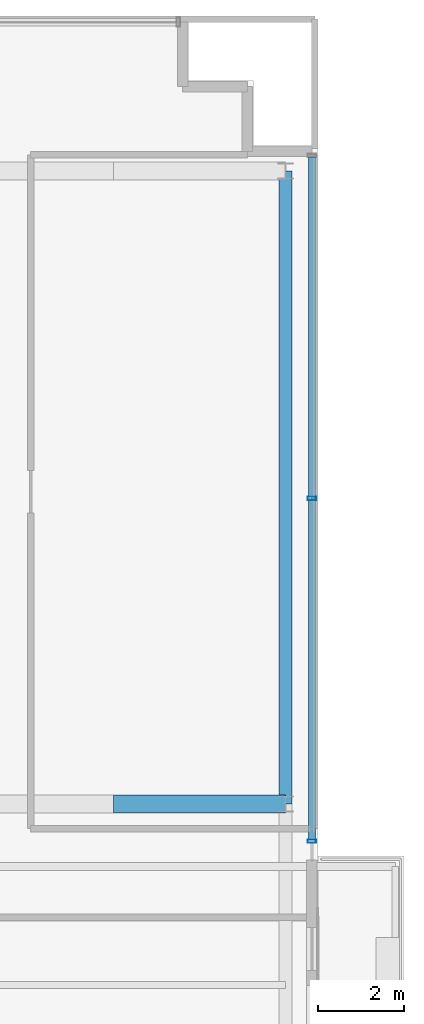
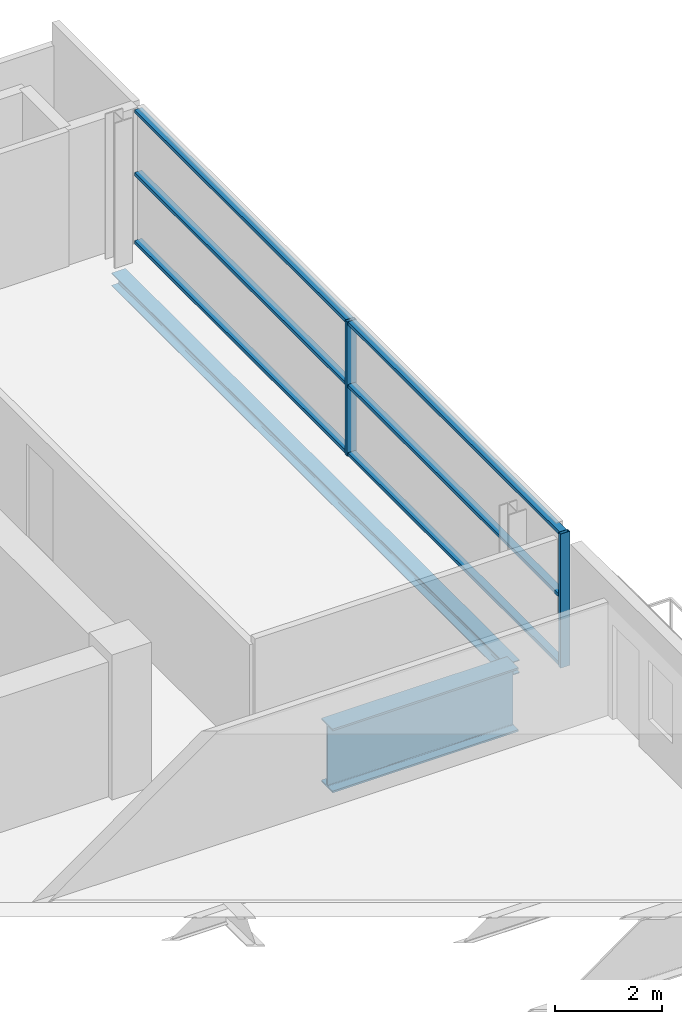
# One storey, part 9 of 23: 8 members, 2 beams, 1 element without a shape of its own.
"""IFC4 building model written with IfcOpenShell, lengths in metres."""

from ifc_helpers import new_model, si_unit, direction, frame, origin, origin_2d, place, context, subcontext, project, spatial, hollow_rectangle, i_section, extrude, source, transform, mapped, material, layer, layer_set, material_profile, profile_set, type_object, element, aggregate, save


model = new_model("IFC4")

# Units and contexts
model_context = context("Model", 3, precision=1e-05, world=origin(), true_north=direction((0.0, 1.0)))
body_context = subcontext(model_context, "Body", "Model", "MODEL_VIEW")
ifc_project = project(units=[si_unit("LENGTHUNIT", "METRE"), si_unit("AREAUNIT", "SQUARE_METRE"), si_unit("VOLUMEUNIT", "CUBIC_METRE"), si_unit("PLANEANGLEUNIT", "RADIAN"), si_unit("MASSUNIT", "GRAM", prefix="KILO")], contexts=[model_context])

# Site, building, storey
site_placement = place(None, origin())
site = spatial("IfcSite", under=ifc_project, at=site_placement, CompositionType="ELEMENT")
building_placement = place(site_placement, origin())
building = spatial("IfcBuilding", under=site, at=building_placement, Name="Zarnakvel Exchange Tower", CompositionType="ELEMENT")
storey_placement = place(building_placement, frame((0.0, 0.0, 232.0)))
storey = spatial("IfcBuildingStorey", under=building, at=storey_placement, Name="L65", CompositionType="ELEMENT", Elevation=232.0)

# Beams
ifc_material_1 = material(Name="Steel S355", Category="steel")
ifc_material_profile_1 = material_profile(ifc_material_1, i_section(OverallWidth=0.300048828125, OverallDepth=0.300048828125, WebThickness=0.010986328125, FlangeThickness=0.01904296875, FilletRadius=0.027099609375, at=origin_2d()))
ifc_profile_set_1 = profile_set([ifc_material_profile_1], Name="Steel S355")
beam_type_1 = type_object("IfcBeamType", Name="SP-03", PredefinedType="SPANDREL", material=ifc_profile_set_1)
beam_1_placement = place(storey_placement, frame((22.85009765625, -1.199951171875, -0.375), z_axis=(0.0, 1.0, 0.0), x_axis=(-1.0, 0.0, 0.0)))
element("IfcBeam", 1, at=beam_1_placement, inside=storey, type_object=beam_type_1, Name="L65 Tower N-S Frame Beam", PredefinedType="SPANDREL", context=body_context, shape_type="SweptSolid", body=[
    extrude(i_section(OverallWidth=0.300048828125, OverallDepth=0.300048828125, WebThickness=0.010986328125, FlangeThickness=0.01904296875, FilletRadius=0.027099609375, at=origin_2d()), origin(), (0.0, 0.0, 1.0), 14.699951171875),
])
ifc_material_2 = material(Name="Steel S460", Category="steel")
ifc_material_profile_2 = material_profile(ifc_material_2, i_section(OverallWidth=0.419921875, OverallDepth=1.449951171875, WebThickness=0.02392578125, FlangeThickness=0.0400390625, FilletRadius=0.030029296875, at=origin_2d()))
ifc_profile_set_2 = profile_set([ifc_material_profile_2], Name="Steel S460")
beam_type_2 = type_object("IfcBeamType", Name="TG-01", PredefinedType="BEAM", material=ifc_profile_set_2)
beam_2_placement = place(storey_placement, frame((18.85009765625, -1.199951171875, -0.949951171875), z_axis=(1.0, 0.0, 0.0), x_axis=(0.0, 1.0, 0.0)))
element("IfcBeam", 2, at=beam_2_placement, inside=storey, type_object=beam_type_2, Name="L65 Block-Shift Cantilever Transfer TE-D", PredefinedType="BEAM", context=body_context, shape_type="SweptSolid", body=[
    extrude(i_section(OverallWidth=0.419921875, OverallDepth=1.449951171875, WebThickness=0.02392578125, FlangeThickness=0.0400390625, FilletRadius=0.030029296875, at=origin_2d()), origin(), (0.0, 0.0, 1.0), 4.0),
])

# Curtain wall, members
ifc_material_3 = material(Name="Architectural Bronze Anodised Aluminium", Category="aluminium")
ifc_layer = layer(ifc_material_3, 0.199951171875)
ifc_layer_set = layer_set([ifc_layer], Name="Architectural Bronze Anodised Aluminium")
curtain_wall_type = type_object("IfcCurtainWallType", Name="CW-04", PredefinedType="NOTDEFINED", material=ifc_layer_set)
curtain_wall_placement = place(storey_placement, origin())
curtain_wall = element("IfcCurtainWall", 3, at=curtain_wall_placement, inside=storey, type_object=curtain_wall_type, Name="L65 Curtain Wall CW-L65-EN (CW-04)", PredefinedType="NOTDEFINED")
ifc_material_profile_3 = material_profile(ifc_material_3, hollow_rectangle(XDim=0.199951171875, YDim=0.074951171875, WallThickness=0.0048828125, at=origin_2d()))
ifc_profile_set_3 = profile_set([ifc_material_profile_3], Name="Architectural Bronze Anodised Aluminium")
member_type_1 = type_object("IfcMemberType", Name="CWM-04", PredefinedType="MULLION", material=ifc_profile_set_3)
shared_shape_1 = source(origin(), body_context, "Body", "SweptSolid", [
    extrude(hollow_rectangle(XDim=0.199951171875, YDim=0.074951171875, WallThickness=0.0048828125, at=origin_2d()), origin(), (0.0, 0.0, 1.0), 3.054931640625),
])
member_1_placement = place(storey_placement, frame((23.4599609375, -2.0625, 0.0), z_axis=(0.0, 0.0, 1.0), x_axis=(-1.0, 0.0, 0.0)))
member_1 = element("IfcMember", 4, at=member_1_placement, type_object=member_type_1, Name="CW-04 mullion 1", PredefinedType="MULLION", context=body_context, shape_type="MappedRepresentation", body=[
    mapped(shared_shape_1, transform((0.0, 0.0, 0.0), x_axis=(1.0, 0.0, 0.0), y_axis=(0.0, 1.0, 0.0), z_axis=(0.0, 0.0, 1.0), scale=1.0)),
])
member_2_placement = place(storey_placement, frame((23.4599609375, 5.89990234375, 0.0), z_axis=(0.0, 0.0, 1.0), x_axis=(-1.0, 0.0, 0.0)))
member_2 = element("IfcMember", 5, at=member_2_placement, type_object=member_type_1, Name="CW-04 mullion 2", PredefinedType="MULLION", context=body_context, shape_type="MappedRepresentation", body=[
    mapped(shared_shape_1, transform((0.0, 0.0, 0.0), x_axis=(1.0, 0.0, 0.0), y_axis=(0.0, 1.0, 0.0), z_axis=(0.0, 0.0, 1.0), scale=1.0)),
])
ifc_material_profile_4 = material_profile(ifc_material_3, hollow_rectangle(XDim=0.159912109375, YDim=0.074951171875, WallThickness=0.00390625, at=origin_2d()))
ifc_profile_set_4 = profile_set([ifc_material_profile_4], Name="Architectural Bronze Anodised Aluminium")
member_type_2 = type_object("IfcMemberType", Name="CWT-04", PredefinedType="USERDEFINED", material=ifc_profile_set_4)
shared_shape_2 = source(origin(), body_context, "Body", "SweptSolid", [
    extrude(hollow_rectangle(XDim=0.159912109375, YDim=0.074951171875, WallThickness=0.00390625, at=origin_2d()), origin(), (0.0, 0.0, 1.0), 7.887451171875),
])
member_3_placement = place(storey_placement, frame((23.4599609375, -2.02490234375, 0.03759765625), z_axis=(0.0, 1.0, 0.0), x_axis=(-1.0, 0.0, 0.0)))
member_3 = element("IfcMember", 6, at=member_3_placement, type_object=member_type_2, Name="CW-04 transom 1.1", ObjectType="TRANSOM", PredefinedType="USERDEFINED", context=body_context, shape_type="MappedRepresentation", body=[
    mapped(shared_shape_2, transform((0.0, 0.0, 0.0), x_axis=(1.0, 0.0, 0.0), y_axis=(0.0, 1.0, 0.0), z_axis=(0.0, 0.0, 1.0), scale=1.0)),
])
member_4_placement = place(storey_placement, frame((23.4599609375, -2.02490234375, 1.588623046875), z_axis=(0.0, 1.0, 0.0), x_axis=(-1.0, 0.0, 0.0)))
member_4 = element("IfcMember", 7, at=member_4_placement, type_object=member_type_2, Name="CW-04 transom 1.2", ObjectType="TRANSOM", PredefinedType="USERDEFINED", context=body_context, shape_type="MappedRepresentation", body=[
    mapped(shared_shape_2, transform((0.0, 0.0, 0.0), x_axis=(1.0, 0.0, 0.0), y_axis=(0.0, 1.0, 0.0), z_axis=(0.0, 0.0, 1.0), scale=1.0)),
])
member_5_placement = place(storey_placement, frame((23.4599609375, -2.02490234375, 3.017578125), z_axis=(0.0, 1.0, 0.0), x_axis=(-1.0, 0.0, 0.0)))
member_5 = element("IfcMember", 8, at=member_5_placement, type_object=member_type_2, Name="CW-04 transom 1.3", ObjectType="TRANSOM", PredefinedType="USERDEFINED", context=body_context, shape_type="MappedRepresentation", body=[
    mapped(shared_shape_2, transform((0.0, 0.0, 0.0), x_axis=(1.0, 0.0, 0.0), y_axis=(0.0, 1.0, 0.0), z_axis=(0.0, 0.0, 1.0), scale=1.0)),
])
member_6_placement = place(storey_placement, frame((23.4599609375, 5.9375, 0.03759765625), z_axis=(0.0, 1.0, 0.0), x_axis=(-1.0, 0.0, 0.0)))
member_6 = element("IfcMember", 9, at=member_6_placement, type_object=member_type_2, Name="CW-04 transom 2.1", ObjectType="TRANSOM", PredefinedType="USERDEFINED", context=body_context, shape_type="MappedRepresentation", body=[
    mapped(shared_shape_2, transform((0.0, 0.0, 0.0), x_axis=(1.0, 0.0, 0.0), y_axis=(0.0, 1.0, 0.0), z_axis=(0.0, 0.0, 1.0), scale=1.0)),
])
member_7_placement = place(storey_placement, frame((23.4599609375, 5.9375, 1.588623046875), z_axis=(0.0, 1.0, 0.0), x_axis=(-1.0, 0.0, 0.0)))
member_7 = element("IfcMember", 10, at=member_7_placement, type_object=member_type_2, Name="CW-04 transom 2.2", ObjectType="TRANSOM", PredefinedType="USERDEFINED", context=body_context, shape_type="MappedRepresentation", body=[
    mapped(shared_shape_2, transform((0.0, 0.0, 0.0), x_axis=(1.0, 0.0, 0.0), y_axis=(0.0, 1.0, 0.0), z_axis=(0.0, 0.0, 1.0), scale=1.0)),
])
member_8_placement = place(storey_placement, frame((23.4599609375, 5.9375, 3.017578125), z_axis=(0.0, 1.0, 0.0), x_axis=(-1.0, 0.0, 0.0)))
member_8 = element("IfcMember", 11, at=member_8_placement, type_object=member_type_2, Name="CW-04 transom 2.3", ObjectType="TRANSOM", PredefinedType="USERDEFINED", context=body_context, shape_type="MappedRepresentation", body=[
    mapped(shared_shape_2, transform((0.0, 0.0, 0.0), x_axis=(1.0, 0.0, 0.0), y_axis=(0.0, 1.0, 0.0), z_axis=(0.0, 0.0, 1.0), scale=1.0)),
])
aggregate(curtain_wall, [member_1, member_2, member_3, member_4, member_5, member_6, member_7, member_8])

save(model, "model.ifc")
